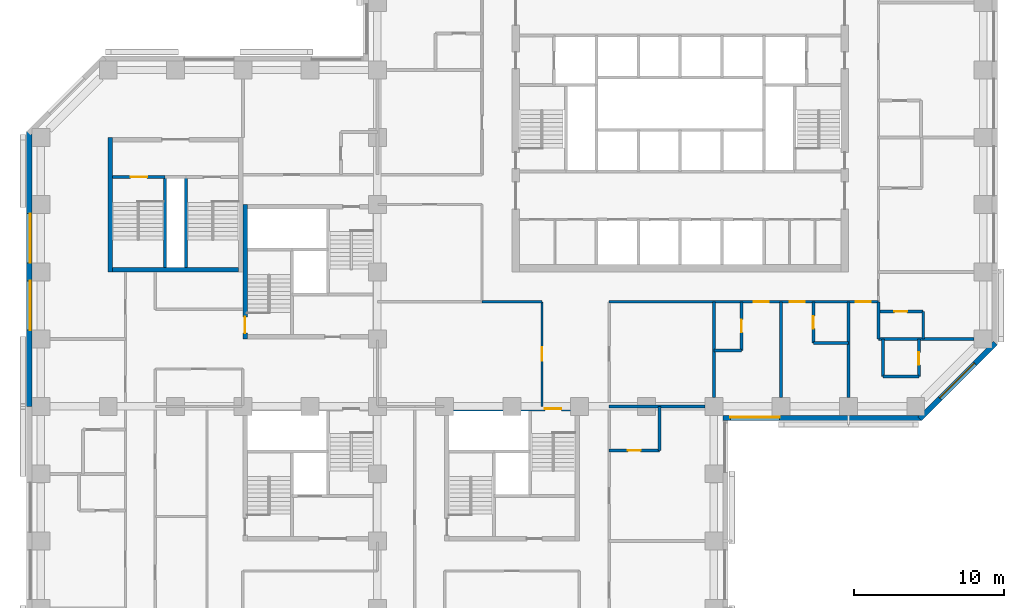
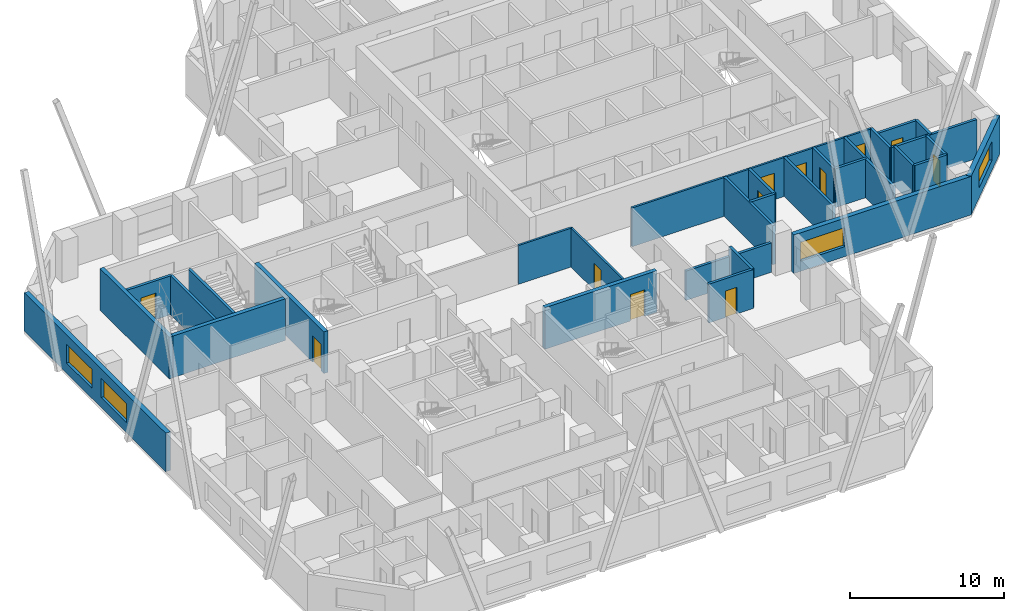
# One storey, part 6 of 13: 30 walls, 12 doors, 4 windows, 16 openings.
"""IFC4 building model written with IfcOpenShell, lengths in metres."""

import ifcopenshell
import ifcopenshell.guid

model = None  # the IFC model being written
_history = None  # IfcOwnerHistory: only IFC2X3 demands one
_inside = {}  # id of a spatial element -> (the spatial element, [elements in it])
_under = {}  # id of a project, library or spatial element -> (it, [spatial elements below it])
_declared = {}  # id of a project -> (the project, [libraries it declares])
_typed = {}  # id of a type object -> (the type object, [elements of that type])
_made_of = {}  # id of a material, layer set ... -> (it, [elements and type objects made of it])


def new_model(schema):
    """Start an empty IFC model of exactly this schema.

    Asked for "IFC4X3", IfcOpenShell would pick the latest addendum, in which some entities
    have other attributes; the version numbers below select the first issue.
    IFC2X3 requires an IfcOwnerHistory on every rooted entity: one is made here for all.
    """
    global model, _history
    if schema == "IFC4X3":
        model = ifcopenshell.file(schema_version=(4, 3, 0, 0))
    else:
        model = ifcopenshell.file(schema=schema)
    _inside.clear()
    _under.clear()
    _declared.clear()
    _typed.clear()
    _made_of.clear()
    _history = None
    if model.schema == "IFC2X3":
        org = make("IfcOrganization", Name="unknown")
        user = make(
            "IfcPersonAndOrganization",
            ThePerson=make("IfcPerson", FamilyName="unknown"),
            TheOrganization=org,
        )
        app = make(
            "IfcApplication",
            ApplicationDeveloper=org,
            Version="unknown",
            ApplicationFullName="unknown",
            ApplicationIdentifier="unknown",
        )
        _history = make(
            "IfcOwnerHistory",
            OwningUser=user,
            OwningApplication=app,
            ChangeAction="ADDED",
            CreationDate=0,
        )
    return model


def make(cls, **values):
    """One entity of the class cls with the attributes given. An attribute that is None is left unset."""
    return model.create_entity(
        cls, **{name: value for name, value in values.items() if value is not None}
    )


def rooted(cls, **values):
    """An entity with a GlobalId (a new one), such as an element, a storey or a relation."""
    return make(cls, GlobalId=ifcopenshell.guid.new(), OwnerHistory=_history, **values)


def si_unit(unit_type, name, prefix=None):
    """IfcSIUnit, for example si_unit("LENGTHUNIT", "METRE", prefix="MILLI")."""
    return make("IfcSIUnit", UnitType=unit_type, Prefix=prefix, Name=name)


def assignment(units):
    """IfcUnitAssignment: the units of a project."""
    return None if units is None else make("IfcUnitAssignment", Units=units)


def point(xyz):
    """IfcCartesianPoint."""
    return None if xyz is None else make("IfcCartesianPoint", Coordinates=xyz)


def direction(xyz):
    """IfcDirection."""
    return None if xyz is None else make("IfcDirection", DirectionRatios=xyz)


def frame(location, z_axis=None, x_axis=None):
    """IfcAxis2Placement3D, a coordinate frame: its origin and axes. An axis left out is left unset."""
    return make(
        "IfcAxis2Placement3D",
        Location=point(location),
        Axis=direction(z_axis),
        RefDirection=direction(x_axis),
    )


def frame_2d(location, x_axis=None):
    """IfcAxis2Placement2D, a coordinate frame in the plane: its origin and x axis."""
    return make(
        "IfcAxis2Placement2D", Location=point(location), RefDirection=direction(x_axis)
    )


def origin():
    """The frame at (0, 0, 0) with its axes left unset."""
    return frame((0.0, 0.0, 0.0))


def place(relative_to, where):
    """IfcLocalPlacement: puts the frame where relative to a parent placement (None: the world)."""
    return make(
        "IfcLocalPlacement", PlacementRelTo=relative_to, RelativePlacement=where
    )


def context(
    kind, dimensions, precision=None, world=None, true_north=None, identifier=None
):
    """IfcGeometricRepresentationContext, for example the 3D "Model" context."""
    return make(
        "IfcGeometricRepresentationContext",
        ContextIdentifier=identifier,
        ContextType=kind,
        CoordinateSpaceDimension=dimensions,
        Precision=precision,
        WorldCoordinateSystem=world,
        TrueNorth=true_north,
    )


def subcontext(parent, identifier, kind, view, scale=None):
    """IfcGeometricRepresentationSubContext, for example "Body" below "Model"."""
    return make(
        "IfcGeometricRepresentationSubContext",
        ContextIdentifier=identifier,
        ContextType=kind,
        ParentContext=parent,
        TargetScale=scale,
        TargetView=view,
    )


def project(units=None, contexts=None):
    """IfcProject with its units and contexts."""
    return rooted(
        "IfcProject",
        Name="project",
        RepresentationContexts=contexts,
        UnitsInContext=assignment(units),
    )


def spatial(cls, under=None, at=None, **own):
    """A site, building, storey or space (cls), placed at a placement, below another one or the project."""
    s = rooted(cls, ObjectPlacement=at, **own)
    if under is not None:
        _under.setdefault(under.id(), (under, []))[1].append(s)
    return s


def profile(cls, at=None, kind="AREA", **sizes):
    """A parametric profile (cls). Its sizes go by their IFC names, for example OverallWidth=200.0."""
    return make(cls, ProfileType=kind, Position=at, **sizes)


def rectangle(**sizes):
    """IfcRectangleProfileDef."""
    return profile("IfcRectangleProfileDef", **sizes)


def extrude(swept, where, along, depth):
    """IfcExtrudedAreaSolid: the profile swept, set in the frame where, extruded along a direction by depth."""
    return make(
        "IfcExtrudedAreaSolid",
        SweptArea=swept,
        Position=where,
        ExtrudedDirection=direction(along),
        Depth=depth,
    )


def shape(context_of_items, identifier, shape_type, items):
    """IfcShapeRepresentation: the items that make up one representation, for example the "Body"."""
    return make(
        "IfcShapeRepresentation",
        ContextOfItems=context_of_items,
        RepresentationIdentifier=identifier,
        RepresentationType=shape_type,
        Items=items,
    )


def material(Name=None, Category=None):
    """IfcMaterial."""
    return make("IfcMaterial", Name=Name, Category=Category)


def layer(
    of_material, thickness, ventilated=None, Name=None, Category=None, Priority=None
):
    """IfcMaterialLayer: one layer of a wall or slab, of a material (None: an air gap)."""
    return make(
        "IfcMaterialLayer",
        Material=of_material,
        LayerThickness=thickness,
        IsVentilated=ventilated,
        Name=Name,
        Category=Category,
        Priority=Priority,
    )


def layer_set(layers, Name=None):
    """IfcMaterialLayerSet."""
    return make("IfcMaterialLayerSet", MaterialLayers=layers, LayerSetName=Name)


def constituent(of_material, Name=None, Category=None, fraction=None):
    """IfcMaterialConstituent: one of the materials an element consists of."""
    return make(
        "IfcMaterialConstituent",
        Name=Name,
        Material=of_material,
        Fraction=fraction,
        Category=Category,
    )


def constituent_set(constituents=None, Name=None):
    """IfcMaterialConstituentSet."""
    return make(
        "IfcMaterialConstituentSet", Name=Name, MaterialConstituents=constituents
    )


def made_of(thing, what):
    """Note that an element or type object is made of a material, layer set ...; save() writes the relation."""
    if what is not None:
        _made_of.setdefault(what.id(), (what, []))[1].append(thing)
    return thing


def type_object(cls, material=None, **own):
    """A type object (cls), such as IfcWallType, which elements share."""
    return made_of(rooted(cls, **own), material)


def element(
    cls,
    number,
    at=None,
    inside=None,
    cuts=None,
    type_object=None,
    material=None,
    context=None,
    identifier="Body",
    shape_type=None,
    held_by="IfcProductDefinitionShape",
    body=None,
    shapes=None,
    **own,
):
    """One element of the class cls, such as IfcWall. Its Tag is "e" and its number.

    at: its placement. inside: the storey or other place that contains it. cuts: it is an
    opening in that element (IfcRelVoidsElement). A single representation is given by context,
    identifier, shape_type and body (its items); several are given by shapes. held_by: the class
    of the entity that holds the representations. save() writes the other relations.
    """
    e = rooted(cls, Tag="e%d" % number, ObjectPlacement=at, **own)
    if body is not None:
        shapes = [shape(context, identifier, shape_type, body)]
    if shapes is not None:
        e.Representation = make(held_by, Representations=shapes)
    if inside is not None:
        _inside.setdefault(inside.id(), (inside, []))[1].append(e)
    if cuts is not None:
        rooted(
            "IfcRelVoidsElement", RelatingBuildingElement=cuts, RelatedOpeningElement=e
        )
    if type_object is not None:
        _typed.setdefault(type_object.id(), (type_object, []))[1].append(e)
    return made_of(e, material)


def fill(opening, filler):
    """IfcRelFillsElement: the door or window that sits in an opening."""
    return rooted(
        "IfcRelFillsElement",
        RelatingOpeningElement=opening,
        RelatedBuildingElement=filler,
    )


def aggregate(whole, parts):
    """IfcRelAggregates: a whole, such as a stair, and the parts it consists of."""
    return rooted("IfcRelAggregates", RelatingObject=whole, RelatedObjects=parts)


def save(model, path):
    """Write the relations noted so far, then the file.

    IfcRelAggregates (storeys below a building ...), IfcRelContainedInSpatialStructure (elements
    in a storey), IfcRelDefinesByType, IfcRelAssociatesMaterial and IfcRelDeclares: one each for
    every whole, place, type object, material and project.
    """
    for whole, parts in _under.values():
        aggregate(whole, parts)
    for where, things in _inside.values():
        rooted(
            "IfcRelContainedInSpatialStructure",
            RelatedElements=things,
            RelatingStructure=where,
        )
    for kind, things in _typed.values():
        rooted("IfcRelDefinesByType", RelatedObjects=things, RelatingType=kind)
    for what, things in _made_of.values():
        rooted("IfcRelAssociatesMaterial", RelatedObjects=things, RelatingMaterial=what)
    for by, libraries in _declared.values():
        rooted("IfcRelDeclares", RelatingContext=by, RelatedDefinitions=libraries)
    model.write(path)


model = new_model("IFC4")

# Units and contexts
model_context = context("Model", 3, precision=1e-05, world=origin(), true_north=direction((0.0, 1.0)))
body_context = subcontext(model_context, "Body", "Model", "MODEL_VIEW")
ifc_project = project(units=[si_unit("LENGTHUNIT", "METRE"), si_unit("AREAUNIT", "SQUARE_METRE"), si_unit("VOLUMEUNIT", "CUBIC_METRE"), si_unit("PLANEANGLEUNIT", "RADIAN"), si_unit("MASSUNIT", "GRAM", prefix="KILO")], contexts=[model_context])

# Site, building, storey
site_placement = place(None, origin())
site = spatial("IfcSite", under=ifc_project, at=site_placement, CompositionType="ELEMENT")
building_placement = place(site_placement, origin())
building = spatial("IfcBuilding", under=site, at=building_placement, Name="Quoin Convention Tower", CompositionType="ELEMENT")
storey_placement = place(building_placement, frame((0.0, 0.0, 26.39990234375)))
storey = spatial("IfcBuildingStorey", under=building, at=storey_placement, Name="L05", CompositionType="ELEMENT", Elevation=26.39990234375)

# Wall, opening, window
ifc_material_1 = material(Name="Brick masonry", Category="masonry")
ifc_layer_1 = layer(ifc_material_1, 0.35009765625)
ifc_layer_set_1 = layer_set([ifc_layer_1], Name="Brick masonry")
wall_type_1 = type_object("IfcWallType", Name="Brick facade wall", PredefinedType="STANDARD", material=ifc_layer_set_1)
wall_1_placement = place(storey_placement, frame((59.10009765625, 39.72509765625, 0.0), z_axis=(0.0, 0.0, 1.0), x_axis=(1.0, 0.0, 0.0)))
wall_1 = element("IfcWall", 1, at=wall_1_placement, inside=storey, type_object=wall_type_1, Name="fw-L05-58500_40500", PredefinedType="STANDARD", context=body_context, shape_type="SweptSolid", body=[
    extrude(rectangle(XDim=13.29345703125, YDim=0.35009765625, at=frame_2d((6.646728515625, 0.0))), origin(), (0.0, 0.0, 1.0), 3.05517578125),
])
opening_1_placement = place(wall_1_placement, frame((0.5, 0.0, 0.800048828125)))
opening_1 = element("IfcOpeningElement", 2, at=opening_1_placement, cuts=wall_1, Name="Opening W-01", PredefinedType="OPENING", context=body_context, shape_type="SweptSolid", body=[
    extrude(rectangle(XDim=3.300048828125, YDim=1.5, at=frame_2d((1.64990234375, 0.75))), frame((0.0, 0.18505859375, 0.0), z_axis=(0.0, -1.0, 0.0), x_axis=(1.0, 0.0, 0.0)), (0.0, 0.0, 1.0), 0.3701171875),
])
ifc_material_2 = material(Name="Aluminium", Category="aluminium")
ifc_constituent_1 = constituent(ifc_material_2, Name="Frame")
ifc_material_3 = material(Name="Insulated glass", Category="glass")
ifc_constituent_2 = constituent(ifc_material_3, Name="Glazing")
ifc_constituent_set = constituent_set(constituents=[ifc_constituent_1, ifc_constituent_2], Name="Aluminium")
window_type = type_object("IfcWindowType", Name="Hotel strip window", PartitioningType="DOUBLE_PANEL_VERTICAL", PredefinedType="WINDOW", material=ifc_constituent_set)
window_1_placement = place(opening_1_placement, origin())
window_1 = element("IfcWindow", 3, at=window_1_placement, inside=storey, type_object=window_type, Name="win-L05-60750_39725", OverallHeight=1.5, OverallWidth=3.300048828125, PartitioningType="SINGLE_PANEL", PredefinedType="WINDOW", context=body_context, shape_type="SweptSolid", body=[
    extrude(rectangle(XDim=3.300048828125, YDim=1.5, at=frame_2d((1.64990234375, 0.75))), frame((0.0, 0.0849609375, 0.0), z_axis=(0.0, -1.0, 0.0), x_axis=(1.0, 0.0, 0.0)), (0.0, 0.0, 1.0), 0.06005859375),
])
fill(opening_1, window_1)

wall_2_placement = place(storey_placement, frame((72.269775390625, 39.673583984375, 0.0), z_axis=(0.0, 0.0, 1.0), x_axis=(0.707106781187, 0.707106781187, 0.0)))
wall_2 = element("IfcWall", 4, at=wall_2_placement, inside=storey, type_object=wall_type_1, Name="fw-L05-72000_40500", PredefinedType="STANDARD", context=body_context, shape_type="SweptSolid", body=[
    extrude(rectangle(XDim=7.151123046875, YDim=0.35009765625, at=frame_2d((3.57568359375, 0.0))), origin(), (0.0, 0.0, 1.0), 3.05517578125),
])
opening_2_placement = place(wall_2_placement, frame((1.925537109375, 0.0, 0.800048828125)))
opening_2 = element("IfcOpeningElement", 5, at=opening_2_placement, cuts=wall_2, Name="Opening W-01", PredefinedType="OPENING", context=body_context, shape_type="SweptSolid", body=[
    extrude(rectangle(XDim=3.300048828125, YDim=1.5, at=frame_2d((1.64990234375, 0.75))), frame((0.0, 0.18505859375, 0.0), z_axis=(0.0, -1.0, 0.0), x_axis=(1.0, 0.0, 0.0)), (0.0, 0.0, 1.0), 0.3701171875),
])
window_2_placement = place(opening_2_placement, origin())
window_2 = element("IfcWindow", 6, at=window_2_placement, inside=storey, type_object=window_type, Name="win-L05-74798_42202", OverallHeight=1.5, OverallWidth=3.300048828125, PartitioningType="SINGLE_PANEL", PredefinedType="WINDOW", context=body_context, shape_type="SweptSolid", body=[
    extrude(rectangle(XDim=3.300048828125, YDim=1.5, at=frame_2d((1.64990234375, 0.75))), frame((0.0, 0.0849609375, 0.0), z_axis=(0.0, -1.0, 0.0), x_axis=(1.0, 0.0, 0.0)), (0.0, 0.0, 1.0), 0.06005859375),
])
fill(opening_2, window_2)

# Wall, openings, windows
wall_3_placement = place(storey_placement, frame((12.72509765625, 58.8935546875, 0.0), z_axis=(0.0, 0.0, 1.0), x_axis=(0.0, -1.0, 0.0)))
wall_3 = element("IfcWall", 7, at=wall_3_placement, inside=storey, type_object=wall_type_1, Name="fw-L05-13500_58500", PredefinedType="STANDARD", context=body_context, shape_type="SweptSolid", body=[
    extrude(rectangle(XDim=18.3935546875, YDim=0.35009765625, at=frame_2d((9.19677734375, 0.0))), origin(), (0.0, 0.0, 1.0), 3.05517578125),
])
opening_3_placement = place(wall_3_placement, frame((5.493408203125, 0.0, 0.800048828125)))
opening_3 = element("IfcOpeningElement", 8, at=opening_3_placement, cuts=wall_3, Name="Opening W-01", PredefinedType="OPENING", context=body_context, shape_type="SweptSolid", body=[
    extrude(rectangle(XDim=3.300048828125, YDim=1.5, at=frame_2d((1.64990234375, 0.75))), frame((0.0, 0.18505859375, 0.0), z_axis=(0.0, -1.0, 0.0), x_axis=(1.0, 0.0, 0.0)), (0.0, 0.0, 1.0), 0.3701171875),
])
opening_4_placement = place(wall_3_placement, frame((9.993408203125, 0.0, 0.800048828125)))
opening_4 = element("IfcOpeningElement", 9, at=opening_4_placement, cuts=wall_3, Name="Opening W-01", PredefinedType="OPENING", context=body_context, shape_type="SweptSolid", body=[
    extrude(rectangle(XDim=3.300048828125, YDim=1.5, at=frame_2d((1.64990234375, 0.75))), frame((0.0, 0.18505859375, 0.0), z_axis=(0.0, -1.0, 0.0), x_axis=(1.0, 0.0, 0.0)), (0.0, 0.0, 1.0), 0.3701171875),
])
window_3_placement = place(opening_3_placement, origin())
window_3 = element("IfcWindow", 10, at=window_3_placement, inside=storey, type_object=window_type, Name="win-L05-12725_51750", OverallHeight=1.5, OverallWidth=3.300048828125, PartitioningType="SINGLE_PANEL", PredefinedType="WINDOW", context=body_context, shape_type="SweptSolid", body=[
    extrude(rectangle(XDim=3.300048828125, YDim=1.5, at=frame_2d((1.64990234375, 0.75))), frame((0.0, 0.0849609375, 0.0), z_axis=(0.0, -1.0, 0.0), x_axis=(1.0, 0.0, 0.0)), (0.0, 0.0, 1.0), 0.06005859375),
])
fill(opening_3, window_3)
window_4_placement = place(opening_4_placement, origin())
window_4 = element("IfcWindow", 11, at=window_4_placement, inside=storey, type_object=window_type, Name="win-L05-12725_47250", OverallHeight=1.5, OverallWidth=3.300048828125, PartitioningType="SINGLE_PANEL", PredefinedType="WINDOW", context=body_context, shape_type="SweptSolid", body=[
    extrude(rectangle(XDim=3.300048828125, YDim=1.5, at=frame_2d((1.64990234375, 0.75))), frame((0.0, 0.0849609375, 0.0), z_axis=(0.0, -1.0, 0.0), x_axis=(1.0, 0.0, 0.0)), (0.0, 0.0, 1.0), 0.06005859375),
])
fill(opening_4, window_4)

# Wall, opening, door
ifc_material_4 = material(Name="Concrete C50", Category="concrete")
ifc_layer_2 = layer(ifc_material_4, 0.199951171875)
ifc_layer_set_2 = layer_set([ifc_layer_2], Name="Concrete C50")
wall_type_2 = type_object("IfcWallType", Name="Core shaft wall", PredefinedType="SOLIDWALL", material=ifc_layer_set_2)
wall_4_placement = place(storey_placement, frame((18.300048828125, 55.85009765625, 0.0), z_axis=(0.0, 0.0, 1.0), x_axis=(1.0, 0.0, 0.0)))
wall_4 = element("IfcWall", 12, at=wall_4_placement, inside=storey, type_object=wall_type_2, Name="cr-P6-L05-h6350_300", PredefinedType="SOLIDWALL", context=body_context, shape_type="SweptSolid", body=[
    extrude(rectangle(XDim=3.5, YDim=0.199951171875, at=frame_2d((1.75, 0.0))), origin(), (0.0, 0.0, 1.0), 3.080078125),
])
opening_5_placement = place(wall_4_placement, frame((1.199951171875, 0.0, 0.0)))
opening_5 = element("IfcOpeningElement", 13, at=opening_5_placement, cuts=wall_4, Name="Opening SD11", PredefinedType="OPENING", context=body_context, shape_type="SweptSolid", body=[
    extrude(rectangle(XDim=1.10009765625, YDim=2.10009765625, at=frame_2d((0.550048828125, 1.050048828125))), frame((0.0, 0.10986328125, 0.0), z_axis=(0.0, -1.0, 0.0), x_axis=(1.0, 0.0, 0.0)), (0.0, 0.0, 1.0), 0.219970703125),
])
ifc_material_5 = material(Name="Steel door leaf", Category="steel")
door_type_1 = type_object("IfcDoorType", Name="Stair door 1100 x 2100", OperationType="SINGLE_SWING_RIGHT", PredefinedType="DOOR", material=ifc_material_5)
door_1_placement = place(opening_5_placement, origin())
door_1 = element("IfcDoor", 14, at=door_1_placement, inside=storey, type_object=door_type_1, Name="cd-P6-L05-SA-R2-SD11", OperationType="SINGLE_SWING_RIGHT", OverallHeight=2.10009765625, OverallWidth=1.10009765625, PredefinedType="DOOR", context=body_context, shape_type="SweptSolid", body=[
    extrude(rectangle(XDim=1.10009765625, YDim=2.10009765625, at=frame_2d((0.550048828125, 1.050048828125))), frame((0.0, 0.02490234375, 0.0), z_axis=(0.0, -1.0, 0.0), x_axis=(1.0, 0.0, 0.0)), (0.0, 0.0, 1.0), 0.050048828125),
])
fill(opening_5, door_1)

# Walls
for number, where, z_axis, x_axis, name in (
    (15, (21.800048828125, 49.800048828125, 0.0), (0.0, 0.0, 1.0), (0.0, 1.0, 0.0), "cr-P6-L05-v3800_300"),
    (16, (23.199951171875, 49.800048828125, 0.0), (0.0, 0.0, 1.0), (0.0, 1.0, 0.0), "cr-P6-L05-v5200_300"),
):
    element("IfcWall", number, at=place(storey_placement, frame(where, z_axis=z_axis, x_axis=x_axis)), inside=storey, type_object=wall_type_2, Name=name, PredefinedType="SOLIDWALL", context=body_context, shape_type="SweptSolid", body=[
        extrude(rectangle(XDim=6.050048828125, YDim=0.199951171875, at=frame_2d((3.02490234375, 0.0))), origin(), (0.0, 0.0, 1.0), 3.080078125),
    ])

# Wall, opening, door
ifc_material_6 = material(Name="Concrete C80", Category="concrete")
ifc_layer_3 = layer(ifc_material_6, 0.300048828125)
ifc_layer_set_3 = layer_set([ifc_layer_3], Name="Concrete C80")
wall_type_3 = type_object("IfcWallType", Name="RC CORE WALL 300 C80", PredefinedType="SHEAR", material=ifc_layer_set_3)
wall_5_placement = place(storey_placement, frame((27.14990234375, 45.0, 0.0), z_axis=(0.0, 0.0, 1.0), x_axis=(0.0, 1.0, 0.0)))
wall_5 = element("IfcWall", 17, at=wall_5_placement, inside=storey, type_object=wall_type_3, Name="cwl-P2-L05-W", PredefinedType="SHEAR", context=body_context, shape_type="SweptSolid", body=[
    extrude(rectangle(XDim=9.0, YDim=0.300048828125, at=frame_2d((4.5, 0.0))), origin(), (0.0, 0.0, 1.0), 3.300048828125),
])
opening_6_placement = place(wall_5_placement, frame((0.39990234375, 0.0, 0.0)))
opening_6 = element("IfcOpeningElement", 18, at=opening_6_placement, cuts=wall_5, Name="Opening SD3", PredefinedType="OPENING", context=body_context, shape_type="SweptSolid", body=[
    extrude(rectangle(XDim=1.10009765625, YDim=2.10009765625, at=frame_2d((0.550048828125, 1.050048828125))), frame((0.0, 0.159912109375, 0.0), z_axis=(0.0, -1.0, 0.0), x_axis=(1.0, 0.0, 0.0)), (0.0, 0.0, 1.0), 0.320068359375),
])
door_2_placement = place(opening_6_placement, frame((1.10009765625, 0.0, 0.0), z_axis=(0.0, 0.0, 1.0), x_axis=(-1.0, 0.0, 0.0)))
door_2 = element("IfcDoor", 19, at=door_2_placement, inside=storey, type_object=door_type_1, Name="cd-P2-L05-SA-W", OperationType="SINGLE_SWING_RIGHT", OverallHeight=2.10009765625, OverallWidth=1.10009765625, PredefinedType="DOOR", context=body_context, shape_type="SweptSolid", body=[
    extrude(rectangle(XDim=1.10009765625, YDim=2.10009765625, at=frame_2d((0.550048828125, 1.050048828125))), frame((0.0, 0.02490234375, 0.0), z_axis=(0.0, -1.0, 0.0), x_axis=(1.0, 0.0, 0.0)), (0.0, 0.0, 1.0), 0.050048828125),
])
fill(opening_6, door_2)

wall_6_placement = place(storey_placement, frame((40.800048828125, 40.35009765625, 0.0), z_axis=(0.0, 0.0, 1.0), x_axis=(1.0, 0.0, 0.0)))
wall_6 = element("IfcWall", 20, at=wall_6_placement, inside=storey, type_object=wall_type_3, Name="cwl-P3-L05-N", PredefinedType="SHEAR", context=body_context, shape_type="SweptSolid", body=[
    extrude(rectangle(XDim=8.39990234375, YDim=0.300048828125, at=frame_2d((4.199951171875, 0.0))), origin(), (0.0, 0.0, 1.0), 3.300048828125),
])
opening_7_placement = place(wall_6_placement, frame((6.39990234375, 0.0, 0.0)))
opening_7 = element("IfcOpeningElement", 21, at=opening_7_placement, cuts=wall_6, Name="Opening SD6", PredefinedType="OPENING", context=body_context, shape_type="SweptSolid", body=[
    extrude(rectangle(XDim=1.10009765625, YDim=2.10009765625, at=frame_2d((0.550048828125, 1.050048828125))), frame((0.0, 0.159912109375, 0.0), z_axis=(0.0, -1.0, 0.0), x_axis=(1.0, 0.0, 0.0)), (0.0, 0.0, 1.0), 0.320068359375),
])
door_3_placement = place(opening_7_placement, frame((1.10009765625, 0.0, 0.0), z_axis=(0.0, 0.0, 1.0), x_axis=(-1.0, 0.0, 0.0)))
door_3 = element("IfcDoor", 22, at=door_3_placement, inside=storey, type_object=door_type_1, Name="cd-P3-L05-SB-N", OperationType="SINGLE_SWING_LEFT", OverallHeight=2.10009765625, OverallWidth=1.10009765625, PredefinedType="DOOR", context=body_context, shape_type="SweptSolid", body=[
    extrude(rectangle(XDim=1.10009765625, YDim=2.10009765625, at=frame_2d((0.550048828125, 1.050048828125))), frame((0.0, 0.02490234375, 0.0), z_axis=(0.0, -1.0, 0.0), x_axis=(1.0, 0.0, 0.0)), (0.0, 0.0, 1.0), 0.050048828125),
])
fill(opening_7, door_3)

# Walls
wall_7_placement = place(storey_placement, frame((18.300048828125, 49.64990234375, 0.0), z_axis=(0.0, 0.0, 1.0), x_axis=(1.0, 0.0, 0.0)))
element("IfcWall", 23, at=wall_7_placement, inside=storey, type_object=wall_type_3, Name="cwl-P6-L05-S", PredefinedType="SHEAR", context=body_context, shape_type="SweptSolid", body=[
    extrude(rectangle(XDim=8.39990234375, YDim=0.300048828125, at=frame_2d((4.199951171875, 0.0))), origin(), (0.0, 0.0, 1.0), 3.300048828125),
])
wall_8_placement = place(storey_placement, frame((18.14990234375, 49.5, 0.0), z_axis=(0.0, 0.0, 1.0), x_axis=(0.0, 1.0, 0.0)))
element("IfcWall", 24, at=wall_8_placement, inside=storey, type_object=wall_type_3, Name="cwl-P6-L05-W", PredefinedType="SHEAR", context=body_context, shape_type="SweptSolid", body=[
    extrude(rectangle(XDim=9.0, YDim=0.300048828125, at=frame_2d((4.5, 0.0))), origin(), (0.0, 0.0, 1.0), 3.300048828125),
])

# Wall, opening, door
ifc_layer_4 = layer(ifc_material_4, 0.199951171875)
ifc_layer_set_4 = layer_set([ifc_layer_4], Name="Concrete C50")
wall_type_4 = type_object("IfcWallType", Name="RC party wall", PredefinedType="SOLIDWALL", material=ifc_layer_set_4)
wall_9_placement = place(storey_placement, frame((51.5, 37.550048828125, 0.0), z_axis=(0.0, 0.0, 1.0), x_axis=(1.0, 0.0, 0.0)))
wall_9 = element("IfcWall", 25, at=wall_9_placement, inside=storey, type_object=wall_type_4, Name="pw-L05-076", PredefinedType="SOLIDWALL", context=body_context, shape_type="SweptSolid", body=[
    extrude(rectangle(XDim=3.35009765625, YDim=0.199951171875, at=frame_2d((1.675048828125, 0.0))), origin(), (0.0, 0.0, 1.0), 3.080078125),
])
opening_8_placement = place(wall_9_placement, frame((1.25, 0.0, 0.0)))
opening_8 = element("IfcOpeningElement", 26, at=opening_8_placement, cuts=wall_9, Name="Opening DHOTEL-A-50", PredefinedType="OPENING", context=body_context, shape_type="SweptSolid", body=[
    extrude(rectangle(XDim=0.85009765625, YDim=2.10009765625, at=frame_2d((0.425048828125, 1.050048828125))), frame((0.0, 0.10986328125, 0.0), z_axis=(0.0, -1.0, 0.0), x_axis=(1.0, 0.0, 0.0)), (0.0, 0.0, 1.0), 0.219970703125),
])
door_type_2 = type_object("IfcDoorType", Name="Bathroom door", OperationType="SINGLE_SWING_LEFT", PredefinedType="DOOR", material=ifc_material_5)
door_4_placement = place(opening_8_placement, frame((0.85009765625, 0.0, 0.0), z_axis=(0.0, 0.0, 1.0), x_axis=(-1.0, 0.0, 0.0)))
door_4 = element("IfcDoor", 27, at=door_4_placement, inside=storey, type_object=door_type_2, Name="dr-L05-026", OperationType="SINGLE_SWING_RIGHT", OverallHeight=2.10009765625, OverallWidth=0.85009765625, PredefinedType="DOOR", context=body_context, shape_type="SweptSolid", body=[
    extrude(rectangle(XDim=0.85009765625, YDim=2.10009765625, at=frame_2d((0.425048828125, 1.050048828125))), frame((0.0, 0.02490234375, 0.0), z_axis=(0.0, -1.0, 0.0), x_axis=(1.0, 0.0, 0.0)), (0.0, 0.0, 1.0), 0.050048828125),
])
fill(opening_8, door_4)

# Walls
wall_10_placement = place(storey_placement, frame((54.85009765625, 37.550048828125, 0.0), z_axis=(0.0, 0.0, 1.0), x_axis=(0.0, 1.0, 0.0)))
element("IfcWall", 28, at=wall_10_placement, inside=storey, type_object=wall_type_4, Name="pw-L05-077", PredefinedType="SOLIDWALL", context=body_context, shape_type="SweptSolid", body=[
    extrude(rectangle(XDim=2.949951171875, YDim=0.199951171875, at=frame_2d((1.47509765625, 0.0))), origin(), (0.0, 0.0, 1.0), 3.080078125),
])
for number, where, z_axis, x_axis, name in (
    (29, (63.0, 41.10009765625, 0.0), (0.0, 0.0, 1.0), (0.0, 1.0, 0.0), "pw-L05-079"),
    (30, (67.5, 41.10009765625, 0.0), (0.0, 0.0, 1.0), (0.0, 1.0, 0.0), "pw-L05-080"),
):
    element("IfcWall", number, at=place(storey_placement, frame(where, z_axis=z_axis, x_axis=x_axis)), inside=storey, type_object=wall_type_4, Name=name, PredefinedType="SOLIDWALL", context=body_context, shape_type="SweptSolid", body=[
        extrude(rectangle(XDim=6.39990234375, YDim=0.199951171875, at=frame_2d((3.199951171875, 0.0))), origin(), (0.0, 0.0, 1.0), 3.080078125),
    ])
wall_11_placement = place(storey_placement, frame((69.800048828125, 42.5, 0.0), z_axis=(0.0, 0.0, 1.0), x_axis=(1.0, 0.0, 0.0)))
element("IfcWall", 31, at=wall_11_placement, inside=storey, type_object=wall_type_4, Name="pw-L05-081", PredefinedType="SOLIDWALL", context=body_context, shape_type="SweptSolid", body=[
    extrude(rectangle(XDim=2.39990234375, YDim=0.199951171875, at=frame_2d((1.199951171875, 0.0))), origin(), (0.0, 0.0, 1.0), 3.080078125),
])
wall_12_placement = place(storey_placement, frame((69.800048828125, 42.5, 0.0), z_axis=(0.0, 0.0, 1.0), x_axis=(0.0, 1.0, 0.0)))
element("IfcWall", 32, at=wall_12_placement, inside=storey, type_object=wall_type_4, Name="pw-L05-082", PredefinedType="SOLIDWALL", context=body_context, shape_type="SweptSolid", body=[
    extrude(rectangle(XDim=2.5, YDim=0.199951171875, at=frame_2d((1.25, 0.0))), origin(), (0.0, 0.0, 1.0), 3.080078125),
])

# Wall, opening, door
wall_13_placement = place(storey_placement, frame((72.199951171875, 42.5, 0.0), z_axis=(0.0, 0.0, 1.0), x_axis=(0.0, 1.0, 0.0)))
wall_13 = element("IfcWall", 33, at=wall_13_placement, inside=storey, type_object=wall_type_4, Name="pw-L05-083", PredefinedType="SOLIDWALL", context=body_context, shape_type="SweptSolid", body=[
    extrude(rectangle(XDim=2.5, YDim=0.199951171875, at=frame_2d((1.25, 0.0))), origin(), (0.0, 0.0, 1.0), 3.080078125),
])
opening_9_placement = place(wall_13_placement, frame((0.77490234375, 0.0, 0.0)))
opening_9 = element("IfcOpeningElement", 34, at=opening_9_placement, cuts=wall_13, Name="Opening DHOTEL-A-52", PredefinedType="OPENING", context=body_context, shape_type="SweptSolid", body=[
    extrude(rectangle(XDim=0.85009765625, YDim=2.10009765625, at=frame_2d((0.425048828125, 1.050048828125))), frame((0.0, 0.10986328125, 0.0), z_axis=(0.0, -1.0, 0.0), x_axis=(1.0, 0.0, 0.0)), (0.0, 0.0, 1.0), 0.219970703125),
])
door_5_placement = place(opening_9_placement, frame((0.85009765625, 0.0, 0.0), z_axis=(0.0, 0.0, 1.0), x_axis=(-1.0, 0.0, 0.0)))
door_5 = element("IfcDoor", 35, at=door_5_placement, inside=storey, type_object=door_type_2, Name="dr-L05-064", OperationType="SINGLE_SWING_LEFT", OverallHeight=2.10009765625, OverallWidth=0.85009765625, PredefinedType="DOOR", context=body_context, shape_type="SweptSolid", body=[
    extrude(rectangle(XDim=0.85009765625, YDim=2.10009765625, at=frame_2d((0.425048828125, 1.050048828125))), frame((0.0, 0.02490234375, 0.0), z_axis=(0.0, -1.0, 0.0), x_axis=(1.0, 0.0, 0.0)), (0.0, 0.0, 1.0), 0.050048828125),
])
fill(opening_9, door_5)

# Wall
wall_14_placement = place(storey_placement, frame((58.5, 44.25, 0.0), z_axis=(0.0, 0.0, 1.0), x_axis=(1.0, 0.0, 0.0)))
element("IfcWall", 36, at=wall_14_placement, inside=storey, type_object=wall_type_4, Name="pw-L05-084", PredefinedType="SOLIDWALL", context=body_context, shape_type="SweptSolid", body=[
    extrude(rectangle(XDim=1.85009765625, YDim=0.199951171875, at=frame_2d((0.925048828125, 0.0))), origin(), (0.0, 0.0, 1.0), 3.080078125),
])

# Wall, opening, door
wall_15_placement = place(storey_placement, frame((60.35009765625, 44.25, 0.0), z_axis=(0.0, 0.0, 1.0), x_axis=(0.0, 1.0, 0.0)))
wall_15 = element("IfcWall", 37, at=wall_15_placement, inside=storey, type_object=wall_type_4, Name="pw-L05-085", PredefinedType="SOLIDWALL", context=body_context, shape_type="SweptSolid", body=[
    extrude(rectangle(XDim=3.25, YDim=0.199951171875, at=frame_2d((1.625, 0.0))), origin(), (0.0, 0.0, 1.0), 3.080078125),
])
opening_10_placement = place(wall_15_placement, frame((1.199951171875, 0.0, 0.0)))
opening_10 = element("IfcOpeningElement", 38, at=opening_10_placement, cuts=wall_15, Name="Opening DHOTEL-A-53", PredefinedType="OPENING", context=body_context, shape_type="SweptSolid", body=[
    extrude(rectangle(XDim=0.85009765625, YDim=2.10009765625, at=frame_2d((0.425048828125, 1.050048828125))), frame((0.0, 0.10986328125, 0.0), z_axis=(0.0, -1.0, 0.0), x_axis=(1.0, 0.0, 0.0)), (0.0, 0.0, 1.0), 0.219970703125),
])
door_6_placement = place(opening_10_placement, frame((0.85009765625, 0.0, 0.0), z_axis=(0.0, 0.0, 1.0), x_axis=(-1.0, 0.0, 0.0)))
door_6 = element("IfcDoor", 39, at=door_6_placement, inside=storey, type_object=door_type_2, Name="dr-L05-052", OperationType="SINGLE_SWING_LEFT", OverallHeight=2.10009765625, OverallWidth=0.85009765625, PredefinedType="DOOR", context=body_context, shape_type="SweptSolid", body=[
    extrude(rectangle(XDim=0.85009765625, YDim=2.10009765625, at=frame_2d((0.425048828125, 1.050048828125))), frame((0.0, 0.02490234375, 0.0), z_axis=(0.0, -1.0, 0.0), x_axis=(1.0, 0.0, 0.0)), (0.0, 0.0, 1.0), 0.050048828125),
])
fill(opening_10, door_6)

# Wall
wall_16_placement = place(storey_placement, frame((65.14990234375, 44.75, 0.0), z_axis=(0.0, 0.0, 1.0), x_axis=(1.0, 0.0, 0.0)))
element("IfcWall", 40, at=wall_16_placement, inside=storey, type_object=wall_type_4, Name="pw-L05-086", PredefinedType="SOLIDWALL", context=body_context, shape_type="SweptSolid", body=[
    extrude(rectangle(XDim=2.35009765625, YDim=0.199951171875, at=frame_2d((1.175048828125, 0.0))), origin(), (0.0, 0.0, 1.0), 3.080078125),
])

# Wall, opening, door
wall_17_placement = place(storey_placement, frame((65.14990234375, 44.75, 0.0), z_axis=(0.0, 0.0, 1.0), x_axis=(0.0, 1.0, 0.0)))
wall_17 = element("IfcWall", 41, at=wall_17_placement, inside=storey, type_object=wall_type_4, Name="pw-L05-087", PredefinedType="SOLIDWALL", context=body_context, shape_type="SweptSolid", body=[
    extrude(rectangle(XDim=2.75, YDim=0.199951171875, at=frame_2d((1.375, 0.0))), origin(), (0.0, 0.0, 1.0), 3.080078125),
])
opening_11_placement = place(wall_17_placement, frame((0.949951171875, 0.0, 0.0)))
opening_11 = element("IfcOpeningElement", 42, at=opening_11_placement, cuts=wall_17, Name="Opening DHOTEL-A-54", PredefinedType="OPENING", context=body_context, shape_type="SweptSolid", body=[
    extrude(rectangle(XDim=0.85009765625, YDim=2.10009765625, at=frame_2d((0.425048828125, 1.050048828125))), frame((0.0, 0.10986328125, 0.0), z_axis=(0.0, -1.0, 0.0), x_axis=(1.0, 0.0, 0.0)), (0.0, 0.0, 1.0), 0.219970703125),
])
door_7_placement = place(opening_11_placement, origin())
door_7 = element("IfcDoor", 43, at=door_7_placement, inside=storey, type_object=door_type_2, Name="dr-L05-050", OperationType="SINGLE_SWING_RIGHT", OverallHeight=2.10009765625, OverallWidth=0.85009765625, PredefinedType="DOOR", context=body_context, shape_type="SweptSolid", body=[
    extrude(rectangle(XDim=0.85009765625, YDim=2.10009765625, at=frame_2d((0.425048828125, 1.050048828125))), frame((0.0, 0.02490234375, 0.0), z_axis=(0.0, -1.0, 0.0), x_axis=(1.0, 0.0, 0.0)), (0.0, 0.0, 1.0), 0.050048828125),
])
fill(opening_11, door_7)

# Walls
wall_18_placement = place(storey_placement, frame((69.5, 45.0, 0.0), z_axis=(0.0, 0.0, 1.0), x_axis=(1.0, 0.0, 0.0)))
element("IfcWall", 44, at=wall_18_placement, inside=storey, type_object=wall_type_4, Name="pw-L05-089", PredefinedType="SOLIDWALL", context=body_context, shape_type="SweptSolid", body=[
    extrude(rectangle(XDim=6.39990234375, YDim=0.199951171875, at=frame_2d((3.199951171875, 0.0))), origin(), (0.0, 0.0, 1.0), 3.080078125),
])
wall_19_placement = place(storey_placement, frame((69.5, 45.0, 0.0), z_axis=(0.0, 0.0, 1.0), x_axis=(0.0, 1.0, 0.0)))
element("IfcWall", 45, at=wall_19_placement, inside=storey, type_object=wall_type_4, Name="pw-L05-090", PredefinedType="SOLIDWALL", context=body_context, shape_type="SweptSolid", body=[
    extrude(rectangle(XDim=2.5, YDim=0.199951171875, at=frame_2d((1.25, 0.0))), origin(), (0.0, 0.0, 1.0), 3.080078125),
])
wall_20_placement = place(storey_placement, frame((72.5, 45.0, 0.0), z_axis=(0.0, 0.0, 1.0), x_axis=(0.0, 1.0, 0.0)))
element("IfcWall", 46, at=wall_20_placement, inside=storey, type_object=wall_type_4, Name="pw-L05-091", PredefinedType="SOLIDWALL", context=body_context, shape_type="SweptSolid", body=[
    extrude(rectangle(XDim=1.85009765625, YDim=0.199951171875, at=frame_2d((0.925048828125, 0.0))), origin(), (0.0, 0.0, 1.0), 3.080078125),
])

# Wall, opening, door
wall_21_placement = place(storey_placement, frame((69.5, 46.85009765625, 0.0), z_axis=(0.0, 0.0, 1.0), x_axis=(1.0, 0.0, 0.0)))
wall_21 = element("IfcWall", 47, at=wall_21_placement, inside=storey, type_object=wall_type_4, Name="pw-L05-092", PredefinedType="SOLIDWALL", context=body_context, shape_type="SweptSolid", body=[
    extrude(rectangle(XDim=3.0, YDim=0.199951171875, at=frame_2d((1.5, 0.0))), origin(), (0.0, 0.0, 1.0), 3.080078125),
])
opening_12_placement = place(wall_21_placement, frame((1.074951171875, 0.0, 0.0)))
opening_12 = element("IfcOpeningElement", 48, at=opening_12_placement, cuts=wall_21, Name="Opening DHOTEL-A-55", PredefinedType="OPENING", context=body_context, shape_type="SweptSolid", body=[
    extrude(rectangle(XDim=0.85009765625, YDim=2.10009765625, at=frame_2d((0.425048828125, 1.050048828125))), frame((0.0, 0.10986328125, 0.0), z_axis=(0.0, -1.0, 0.0), x_axis=(1.0, 0.0, 0.0)), (0.0, 0.0, 1.0), 0.219970703125),
])
door_8_placement = place(opening_12_placement, origin())
door_8 = element("IfcDoor", 49, at=door_8_placement, inside=storey, type_object=door_type_2, Name="dr-L05-048", OperationType="SINGLE_SWING_LEFT", OverallHeight=2.10009765625, OverallWidth=0.85009765625, PredefinedType="DOOR", context=body_context, shape_type="SweptSolid", body=[
    extrude(rectangle(XDim=0.85009765625, YDim=2.10009765625, at=frame_2d((0.425048828125, 1.050048828125))), frame((0.0, 0.02490234375, 0.0), z_axis=(0.0, -1.0, 0.0), x_axis=(1.0, 0.0, 0.0)), (0.0, 0.0, 1.0), 0.050048828125),
])
fill(opening_12, door_8)

ifc_material_7 = material(Name="Plasterboard")
ifc_layer_5 = layer(ifc_material_7, 0.012451171875, Name="Finish")
ifc_material_8 = material(Name="Steel stud framing", Category="steel")
ifc_layer_6 = layer(ifc_material_8, 0.125, Name="Structure")
ifc_layer_7 = layer(ifc_material_7, 0.012451171875, Name="Finish")
ifc_layer_set_5 = layer_set([ifc_layer_5, ifc_layer_6, ifc_layer_7], Name="Steel stud framing")
wall_type_5 = type_object("IfcWallType", Name="corridor partition", PredefinedType="PARTITIONING", material=ifc_layer_set_5)
wall_22_placement = place(storey_placement, frame((47.0, 40.5, 0.0), z_axis=(0.0, 0.0, 1.0), x_axis=(0.0, 1.0, 0.0)))
wall_22 = element("IfcWall", 50, at=wall_22_placement, inside=storey, type_object=wall_type_5, Name="pw-L05-024", PredefinedType="PARTITIONING", context=body_context, shape_type="SweptSolid", body=[
    extrude(rectangle(XDim=7.0, YDim=0.14990234375, at=frame_2d((3.5, 0.0))), origin(), (0.0, 0.0, 1.0), 3.080078125),
])
opening_13_placement = place(wall_22_placement, frame((3.050048828125, 0.0, 0.0)))
opening_13 = element("IfcOpeningElement", 51, at=opening_13_placement, cuts=wall_22, Name="Opening DHOTEL-A-20", PredefinedType="OPENING", context=body_context, shape_type="SweptSolid", body=[
    extrude(rectangle(XDim=0.89990234375, YDim=2.10009765625, at=frame_2d((0.449951171875, 1.050048828125))), frame((0.0, 0.0849609375, 0.0), z_axis=(0.0, -1.0, 0.0), x_axis=(1.0, 0.0, 0.0)), (0.0, 0.0, 1.0), 0.169921875),
])
door_type_3 = type_object("IfcDoorType", Name="Single room door", OperationType="SINGLE_SWING_RIGHT", PredefinedType="DOOR", material=ifc_material_5)
door_9_placement = place(opening_13_placement, origin())
door_9 = element("IfcDoor", 52, at=door_9_placement, inside=storey, type_object=door_type_3, Name="dr-L05-073", OperationType="SINGLE_SWING_RIGHT", OverallHeight=2.10009765625, OverallWidth=0.89990234375, PredefinedType="DOOR", context=body_context, shape_type="SweptSolid", body=[
    extrude(rectangle(XDim=0.89990234375, YDim=2.10009765625, at=frame_2d((0.449951171875, 1.050048828125))), frame((0.0, 0.02490234375, 0.0), z_axis=(0.0, -1.0, 0.0), x_axis=(1.0, 0.0, 0.0)), (0.0, 0.0, 1.0), 0.050048828125),
])
fill(opening_13, door_9)

# Wall
wall_23_placement = place(storey_placement, frame((43.0, 47.5, 0.0), z_axis=(0.0, 0.0, 1.0), x_axis=(1.0, 0.0, 0.0)))
element("IfcWall", 53, at=wall_23_placement, inside=storey, type_object=wall_type_5, Name="pw-L05-028", PredefinedType="PARTITIONING", context=body_context, shape_type="SweptSolid", body=[
    extrude(rectangle(XDim=4.0, YDim=0.14990234375, at=frame_2d((2.0, 0.0))), origin(), (0.0, 0.0, 1.0), 3.080078125),
])

# Wall, openings, doors
wall_24_placement = place(storey_placement, frame((51.5, 47.5, 0.0), z_axis=(0.0, 0.0, 1.0), x_axis=(1.0, 0.0, 0.0)))
wall_24 = element("IfcWall", 54, at=wall_24_placement, inside=storey, type_object=wall_type_5, Name="pw-L05-030", PredefinedType="PARTITIONING", context=body_context, shape_type="SweptSolid", body=[
    extrude(rectangle(XDim=18.0, YDim=0.14990234375, at=frame_2d((9.0, 0.0))), origin(), (0.0, 0.0, 1.0), 3.080078125),
])
opening_14_placement = place(wall_24_placement, frame((12.074951171875, 0.0, 0.0)))
opening_14 = element("IfcOpeningElement", 55, at=opening_14_placement, cuts=wall_24, Name="Opening DHOTEL-A-23", PredefinedType="OPENING", context=body_context, shape_type="SweptSolid", body=[
    extrude(rectangle(XDim=1.0, YDim=2.10009765625, at=frame_2d((0.5, 1.050048828125))), frame((0.0, 0.0849609375, 0.0), z_axis=(0.0, -1.0, 0.0), x_axis=(1.0, 0.0, 0.0)), (0.0, 0.0, 1.0), 0.169921875),
])
opening_15_placement = place(wall_24_placement, frame((9.675048828125, 0.0, 0.0)))
opening_15 = element("IfcOpeningElement", 56, at=opening_15_placement, cuts=wall_24, Name="Opening DHOTEL-A-22", PredefinedType="OPENING", context=body_context, shape_type="SweptSolid", body=[
    extrude(rectangle(XDim=1.0, YDim=2.10009765625, at=frame_2d((0.5, 1.050048828125))), frame((0.0, 0.0849609375, 0.0), z_axis=(0.0, -1.0, 0.0), x_axis=(1.0, 0.0, 0.0)), (0.0, 0.0, 1.0), 0.169921875),
])
opening_16_placement = place(wall_24_placement, frame((16.5, 0.0, 0.0)))
opening_16 = element("IfcOpeningElement", 57, at=opening_16_placement, cuts=wall_24, Name="Opening DHOTEL-A-24", PredefinedType="OPENING", context=body_context, shape_type="SweptSolid", body=[
    extrude(rectangle(XDim=1.0, YDim=2.10009765625, at=frame_2d((0.5, 1.050048828125))), frame((0.0, 0.0849609375, 0.0), z_axis=(0.0, -1.0, 0.0), x_axis=(1.0, 0.0, 0.0)), (0.0, 0.0, 1.0), 0.169921875),
])
door_type_4 = type_object("IfcDoorType", Name="Hotel room door", OperationType="SINGLE_SWING_LEFT", PredefinedType="DOOR", material=ifc_material_5)
door_10_placement = place(opening_14_placement, frame((1.0, 0.0, 0.0), z_axis=(0.0, 0.0, 1.0), x_axis=(-1.0, 0.0, 0.0)))
door_10 = element("IfcDoor", 58, at=door_10_placement, inside=storey, type_object=door_type_4, Name="dr-L05-049", OperationType="SINGLE_SWING_LEFT", OverallHeight=2.10009765625, OverallWidth=1.0, PredefinedType="DOOR", context=body_context, shape_type="SweptSolid", body=[
    extrude(rectangle(XDim=1.0, YDim=2.10009765625, at=frame_2d((0.5, 1.050048828125))), frame((0.0, 0.02490234375, 0.0), z_axis=(0.0, -1.0, 0.0), x_axis=(1.0, 0.0, 0.0)), (0.0, 0.0, 1.0), 0.050048828125),
])
fill(opening_14, door_10)
door_11_placement = place(opening_15_placement, frame((1.0, 0.0, 0.0), z_axis=(0.0, 0.0, 1.0), x_axis=(-1.0, 0.0, 0.0)))
door_11 = element("IfcDoor", 59, at=door_11_placement, inside=storey, type_object=door_type_4, Name="dr-L05-051", OperationType="SINGLE_SWING_LEFT", OverallHeight=2.10009765625, OverallWidth=1.0, PredefinedType="DOOR", context=body_context, shape_type="SweptSolid", body=[
    extrude(rectangle(XDim=1.0, YDim=2.10009765625, at=frame_2d((0.5, 1.050048828125))), frame((0.0, 0.02490234375, 0.0), z_axis=(0.0, -1.0, 0.0), x_axis=(1.0, 0.0, 0.0)), (0.0, 0.0, 1.0), 0.050048828125),
])
fill(opening_15, door_11)
door_12_placement = place(opening_16_placement, frame((1.0, 0.0, 0.0), z_axis=(0.0, 0.0, 1.0), x_axis=(-1.0, 0.0, 0.0)))
door_12 = element("IfcDoor", 60, at=door_12_placement, inside=storey, type_object=door_type_4, Name="dr-L05-063", OperationType="SINGLE_SWING_LEFT", OverallHeight=2.10009765625, OverallWidth=1.0, PredefinedType="DOOR", context=body_context, shape_type="SweptSolid", body=[
    extrude(rectangle(XDim=1.0, YDim=2.10009765625, at=frame_2d((0.5, 1.050048828125))), frame((0.0, 0.02490234375, 0.0), z_axis=(0.0, -1.0, 0.0), x_axis=(1.0, 0.0, 0.0)), (0.0, 0.0, 1.0), 0.050048828125),
])
fill(opening_16, door_12)

# Walls
ifc_layer_8 = layer(ifc_material_7, 0.012451171875, Name="Finish")
ifc_layer_9 = layer(ifc_material_8, 0.175048828125, Name="Structure")
ifc_layer_10 = layer(ifc_material_7, 0.012451171875, Name="Finish")
ifc_layer_set_6 = layer_set([ifc_layer_8, ifc_layer_9, ifc_layer_10], Name="Steel stud framing")
wall_type_6 = type_object("IfcWallType", Name="guest room compartment wall", PredefinedType="PARTITIONING", material=ifc_layer_set_6)
wall_25_placement = place(storey_placement, frame((58.5, 41.10009765625, 0.0), z_axis=(0.0, 0.0, 1.0), x_axis=(0.0, 1.0, 0.0)))
element("IfcWall", 61, at=wall_25_placement, inside=storey, type_object=wall_type_6, Name="pw-L05-002", PredefinedType="PARTITIONING", context=body_context, shape_type="SweptSolid", body=[
    extrude(rectangle(XDim=6.39990234375, YDim=0.199951171875, at=frame_2d((3.199951171875, 0.0))), origin(), (0.0, 0.0, 1.0), 3.080078125),
])
ifc_layer_11 = layer(ifc_material_7, 0.012451171875, Name="Finish")
ifc_layer_12 = layer(ifc_material_8, 0.175048828125, Name="Structure")
ifc_layer_13 = layer(ifc_material_7, 0.012451171875, Name="Finish")
ifc_layer_set_7 = layer_set([ifc_layer_11, ifc_layer_12, ifc_layer_13], Name="Steel stud framing")
wall_type_7 = type_object("IfcWallType", Name="guest room compartment wall under beam 750", PredefinedType="PARTITIONING", material=ifc_layer_set_7)
wall_26_placement = place(storey_placement, frame((51.5, 40.5, 0.0), z_axis=(0.0, 0.0, 1.0), x_axis=(1.0, 0.0, 0.0)))
element("IfcWall", 62, at=wall_26_placement, inside=storey, type_object=wall_type_7, Name="pw-L05-001", PredefinedType="PARTITIONING", context=body_context, shape_type="SweptSolid", body=[
    extrude(rectangle(XDim=6.39990234375, YDim=0.199951171875, at=frame_2d((3.199951171875, 0.0))), origin(), (0.0, 0.0, 1.0), 2.330078125),
])

save(model, "model.ifc")
